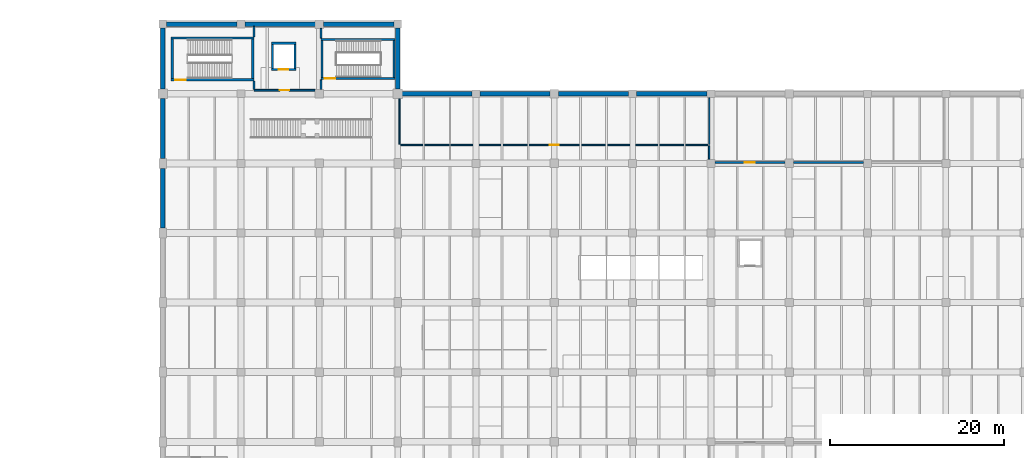
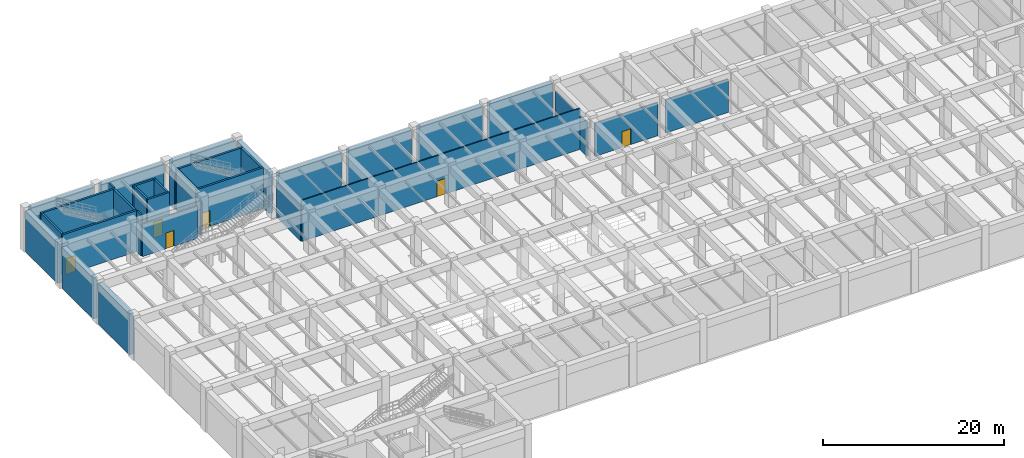
# One storey, part 10 of 20: 34 walls, 6 doors, 6 openings.
"""IFC4 building model written with IfcOpenShell, lengths in metres."""

from ifc_helpers import new_model, si_unit, derived_unit, direction, frame, frame_2d, origin, place, context, subcontext, project, spatial, rectangle, extrude, material, layer, layer_set, type_object, element, fill, save


model = new_model("IFC4")

# Units and contexts
model_context = context("Model", 3, precision=1e-05, world=origin(), true_north=direction((0.0, 1.0)))
body_context = subcontext(model_context, "Body", "Model", "MODEL_VIEW")
ifc_project = project(units=[si_unit("LENGTHUNIT", "METRE"), si_unit("AREAUNIT", "SQUARE_METRE"), si_unit("VOLUMEUNIT", "CUBIC_METRE"), si_unit("PLANEANGLEUNIT", "RADIAN"), si_unit("MASSUNIT", "GRAM", prefix="KILO"), derived_unit("THERMALTRANSMITTANCEUNIT", [(si_unit("MASSUNIT", "GRAM", prefix="KILO"), 1), (si_unit("TIMEUNIT", "SECOND"), -3), (si_unit("THERMODYNAMICTEMPERATUREUNIT", "KELVIN"), -1)])], contexts=[model_context])

# Site, building, storey
site_placement = place(None, origin())
site = spatial("IfcSite", under=ifc_project, at=site_placement, CompositionType="ELEMENT")
building_placement = place(site_placement, origin())
building = spatial("IfcBuilding", under=site, at=building_placement, Name="Zhenchuan Archway Interchange", CompositionType="ELEMENT")
storey_placement = place(building_placement, frame((0.0, 0.0, -6.0)))
storey = spatial("IfcBuildingStorey", under=building, at=storey_placement, Name="B1", CompositionType="ELEMENT", Elevation=-6.0)

# Walls
ifc_material_1 = material(Name="Concrete C40", Category="concrete")
ifc_layer_1 = layer(ifc_material_1, 0.5)
ifc_layer_set_1 = layer_set([ifc_layer_1], Name="Concrete C40")
wall_type_1 = type_object("IfcWallType", Name="EW_DIAPH_500", PredefinedType="STANDARD", material=ifc_layer_set_1)
wall_1_placement = place(storey_placement, frame((36.0, 64.572998046875, 0.0), z_axis=(0.0, 0.0, 1.0), x_axis=(0.0, 1.0, 0.0)))
element("IfcWall", 1, at=wall_1_placement, inside=storey, type_object=wall_type_1, Name="Basement diaphragm wall B1-013", PredefinedType="STANDARD", context=body_context, shape_type="SweptSolid", body=[
    extrude(rectangle(XDim=6.85400390625, YDim=0.5, at=frame_2d((3.427001953125, 0.0))), origin(), (0.0, 0.0, 1.0), 5.56005859375),
])
wall_2_placement = place(storey_placement, frame((36.0, 72.572998046875, 0.0), z_axis=(0.0, 0.0, 1.0), x_axis=(0.0, 1.0, 0.0)))
element("IfcWall", 2, at=wall_2_placement, inside=storey, type_object=wall_type_1, Name="Basement diaphragm wall B1-014", PredefinedType="STANDARD", context=body_context, shape_type="SweptSolid", body=[
    extrude(rectangle(XDim=6.904052734375, YDim=0.5, at=frame_2d((3.4521484375, 0.0))), origin(), (0.0, 0.0, 1.0), 5.56005859375),
])
wall_3_placement = place(storey_placement, frame((36.0, 80.52294921875, 0.0), z_axis=(0.0, 0.0, 1.0), x_axis=(0.0, 1.0, 0.0)))
element("IfcWall", 3, at=wall_3_placement, inside=storey, type_object=wall_type_1, Name="Basement diaphragm wall B1-015", PredefinedType="STANDARD", context=body_context, shape_type="SweptSolid", body=[
    extrude(rectangle(XDim=7.029052734375, YDim=0.5, at=frame_2d((3.5146484375, 0.0))), origin(), (0.0, 0.0, 1.0), 5.56005859375),
])
wall_4_placement = place(storey_placement, frame((36.447998046875, 88.0, 0.0), z_axis=(0.0, 0.0, 1.0), x_axis=(1.0, 0.0, 0.0)))
element("IfcWall", 4, at=wall_4_placement, inside=storey, type_object=wall_type_1, Name="Basement diaphragm wall B1-016", PredefinedType="STANDARD", context=body_context, shape_type="SweptSolid", body=[
    extrude(rectangle(XDim=8.10400390625, YDim=0.5, at=frame_2d((4.052001953125, 0.0))), origin(), (0.0, 0.0, 1.0), 5.56005859375),
])
for number, where, z_axis, x_axis, name in (
    (5, (45.447998046875, 88.0, 0.0), (0.0, 0.0, 1.0), (1.0, 0.0, 0.0), "Basement diaphragm wall B1-017"),
    (6, (54.472900390625, 88.0, 0.0), (0.0, 0.0, 1.0), (1.0, 0.0, 0.0), "Basement diaphragm wall B1-018"),
):
    element("IfcWall", number, at=place(storey_placement, frame(where, z_axis=z_axis, x_axis=x_axis)), inside=storey, type_object=wall_type_1, Name=name, PredefinedType="STANDARD", context=body_context, shape_type="SweptSolid", body=[
        extrude(rectangle(XDim=8.0791015625, YDim=0.5, at=frame_2d((4.03955078125, 0.0))), origin(), (0.0, 0.0, 1.0), 5.56005859375),
    ])
wall_5_placement = place(storey_placement, frame((63.0, 87.552001953125, 0.0), z_axis=(0.0, 0.0, 1.0), x_axis=(0.0, -1.0, 0.0)))
element("IfcWall", 7, at=wall_5_placement, inside=storey, type_object=wall_type_1, Name="Basement diaphragm wall B1-019", PredefinedType="STANDARD", context=body_context, shape_type="SweptSolid", body=[
    extrude(rectangle(XDim=7.029052734375, YDim=0.5, at=frame_2d((3.5146484375, 0.0))), origin(), (0.0, 0.0, 1.0), 5.56005859375),
])
wall_6_placement = place(storey_placement, frame((63.52294921875, 80.0, 0.0), z_axis=(0.0, 0.0, 1.0), x_axis=(1.0, 0.0, 0.0)))
element("IfcWall", 8, at=wall_6_placement, inside=storey, type_object=wall_type_1, Name="Basement diaphragm wall B1-020", PredefinedType="STANDARD", context=body_context, shape_type="SweptSolid", body=[
    extrude(rectangle(XDim=8.029052734375, YDim=0.5, at=frame_2d((4.0146484375, 0.0))), origin(), (0.0, 0.0, 1.0), 5.56005859375),
])
for number, where, z_axis, x_axis, name in (
    (9, (72.447998046875, 80.0, 0.0), (0.0, 0.0, 1.0), (1.0, 0.0, 0.0), "Basement diaphragm wall B1-021"),
    (10, (81.472900390625, 80.0, 0.0), (0.0, 0.0, 1.0), (1.0, 0.0, 0.0), "Basement diaphragm wall B1-022"),
):
    element("IfcWall", number, at=place(storey_placement, frame(where, z_axis=z_axis, x_axis=x_axis)), inside=storey, type_object=wall_type_1, Name=name, PredefinedType="STANDARD", context=body_context, shape_type="SweptSolid", body=[
        extrude(rectangle(XDim=8.0791015625, YDim=0.5, at=frame_2d((4.03955078125, 0.0))), origin(), (0.0, 0.0, 1.0), 5.56005859375),
    ])
wall_7_placement = place(storey_placement, frame((90.447998046875, 80.0, 0.0), z_axis=(0.0, 0.0, 1.0), x_axis=(1.0, 0.0, 0.0)))
element("IfcWall", 11, at=wall_7_placement, inside=storey, type_object=wall_type_1, Name="Basement diaphragm wall B1-023", PredefinedType="STANDARD", context=body_context, shape_type="SweptSolid", body=[
    extrude(rectangle(XDim=8.10400390625, YDim=0.5, at=frame_2d((4.052001953125, 0.0))), origin(), (0.0, 0.0, 1.0), 5.56005859375),
])

# Wall, opening, door
ifc_material_2 = material(Name="Autoclaved Aerated Concrete Block", Category="concrete")
ifc_layer_2 = layer(ifc_material_2, 0.199951171875)
ifc_layer_set_2 = layer_set([ifc_layer_2], Name="Autoclaved Aerated Concrete Block")
wall_type_2 = type_object("IfcWallType", Name="WL_FIRE_200", PredefinedType="STANDARD", material=ifc_layer_set_2)
wall_8_placement = place(storey_placement, frame((46.489990234375, 80.39990234375, 0.0), z_axis=(0.0, 0.0, 1.0), x_axis=(1.0, 0.0, 0.0)))
wall_8 = element("IfcWall", 12, at=wall_8_placement, inside=storey, type_object=wall_type_2, Name="Station Cleaning and Barriers Store S partition (B1)", PredefinedType="STANDARD", context=body_context, shape_type="SweptSolid", body=[
    extrude(rectangle(XDim=7.010009765625, YDim=0.199951171875, at=frame_2d((3.5048828125, 0.0))), origin(), (0.0, 0.0, 1.0), 4.3798828125),
])
opening_1_placement = place(wall_8_placement, frame((2.97998046875, 0.0, 0.0)))
opening_1 = element("IfcOpeningElement", 13, at=opening_1_placement, cuts=wall_8, Name="Opening FD-03", PredefinedType="OPENING", context=body_context, shape_type="SweptSolid", body=[
    extrude(rectangle(XDim=1.050048828125, YDim=2.14990234375, at=frame_2d((0.52490234375, 1.074951171875))), frame((0.0, 0.11181640625, 0.0), z_axis=(0.0, -1.0, 0.0), x_axis=(1.0, 0.0, 0.0)), (0.0, 0.0, 1.0), 0.223876953125),
])
ifc_material_3 = material(Name="Painted Galvanised Steel", Category="steel")
door_type_1 = type_object("IfcDoorType", Name="DR_PLANT_FD60_S", OperationType="NOTDEFINED", PredefinedType="DOOR", material=ifc_material_3)
door_1_placement = place(opening_1_placement, origin())
door_1 = element("IfcDoor", 14, at=door_1_placement, inside=storey, type_object=door_type_1, Name="Station Cleaning and Barriers Store door (B1)", OperationType="SINGLE_SWING_LEFT", OverallHeight=2.14990234375, OverallWidth=1.050048828125, PredefinedType="DOOR", context=body_context, shape_type="SweptSolid", body=[
    extrude(rectangle(XDim=1.050048828125, YDim=2.14990234375, at=frame_2d((0.52490234375, 1.074951171875))), frame((0.0, 0.02490234375, 0.0), z_axis=(0.0, -1.0, 0.0), x_axis=(1.0, 0.0, 0.0)), (0.0, 0.0, 1.0), 0.050048828125),
])
fill(opening_1, door_1)

# Walls
wall_9_placement = place(storey_placement, frame((46.489990234375, 80.510009765625, 0.0), z_axis=(0.0, 0.0, 1.0), x_axis=(0.0, 1.0, 0.0)))
element("IfcWall", 15, at=wall_9_placement, inside=storey, type_object=wall_type_2, Name="Station Cleaning and Barriers Store W partition (B1)", PredefinedType="STANDARD", context=body_context, shape_type="SweptSolid", body=[
    extrude(rectangle(XDim=0.945068359375, YDim=0.199951171875, at=frame_2d((0.47265625, 0.0))), origin(), (0.0, 0.0, 1.0), 5.550048828125),
])
wall_10_placement = place(storey_placement, frame((46.489990234375, 86.544921875, 0.0), z_axis=(0.0, 0.0, 1.0), x_axis=(0.0, 1.0, 0.0)))
element("IfcWall", 16, at=wall_10_placement, inside=storey, type_object=wall_type_2, Name="Station Cleaning and Barriers Store W partition (B1)", PredefinedType="STANDARD", context=body_context, shape_type="SweptSolid", body=[
    extrude(rectangle(XDim=1.195068359375, YDim=0.199951171875, at=frame_2d((0.59765625, 0.0))), origin(), (0.0, 0.0, 1.0), 5.550048828125),
])
for number, where, z_axis, x_axis, name in (
    (17, (54.179931640625, 80.5, 0.0), (0.0, 0.0, 1.0), (0.0, 1.0, 0.0), "Station Cleaning and Barriers Store E partition (B1)"),
    (18, (54.179931640625, 86.39501953125, 0.0), (0.0, 0.0, 1.0), (0.0, 1.0, 0.0), "Station Cleaning and Barriers Store E partition (B1)"),
):
    element("IfcWall", number, at=place(storey_placement, frame(where, z_axis=z_axis, x_axis=x_axis)), inside=storey, type_object=wall_type_2, Name=name, PredefinedType="STANDARD", context=body_context, shape_type="SweptSolid", body=[
        extrude(rectangle(XDim=1.10498046875, YDim=0.199951171875, at=frame_2d((0.552490234375, 0.0))), origin(), (0.0, 0.0, 1.0), 4.580078125),
    ])

# Wall, opening, door
ifc_layer_3 = layer(ifc_material_1, 0.239990234375)
ifc_layer_set_3 = layer_set([ifc_layer_3], Name="Concrete C40")
wall_type_3 = type_object("IfcWallType", Name="WL_LIFT_240", PredefinedType="SHEAR", material=ifc_layer_set_3)
wall_11_placement = place(storey_placement, frame((48.47998046875, 82.800048828125, 0.0), z_axis=(0.0, 0.0, 1.0), x_axis=(1.0, 0.0, 0.0)))
wall_11 = element("IfcWall", 19, at=wall_11_placement, inside=storey, type_object=wall_type_3, Name="Lift LF-02 south shaft wall (B1)", PredefinedType="SHEAR", context=body_context, shape_type="SweptSolid", body=[
    extrude(rectangle(XDim=2.840087890625, YDim=0.239990234375, at=frame_2d((1.419921875, 0.0))), origin(), (0.0, 0.0, 1.0), 5.550048828125),
])
opening_2_placement = place(wall_11_placement, frame((0.8701171875, 0.0, 0.0)))
opening_2 = element("IfcOpeningElement", 20, at=opening_2_placement, cuts=wall_11, Name="Opening LD-01", PredefinedType="OPENING", context=body_context, shape_type="SweptSolid", body=[
    extrude(rectangle(XDim=1.10009765625, YDim=2.199951171875, at=frame_2d((0.550048828125, 1.10009765625))), frame((0.0, 0.1318359375, 0.0), z_axis=(0.0, -1.0, 0.0), x_axis=(1.0, 0.0, 0.0)), (0.0, 0.0, 1.0), 0.263916015625),
])
ifc_material_4 = material(Name="Stainless Steel 304", Category="steel")
door_type_2 = type_object("IfcDoorType", Name="DR_LIFT_LD110", OperationType="DOUBLE_DOOR_SLIDING", PredefinedType="DOOR", material=ifc_material_4)
door_2_placement = place(opening_2_placement, origin())
door_2 = element("IfcDoor", 21, at=door_2_placement, inside=storey, type_object=door_type_2, Name="Lift LF-02 landing door (B1)", OperationType="DOUBLE_DOOR_SLIDING", OverallHeight=2.199951171875, OverallWidth=1.10009765625, PredefinedType="DOOR", context=body_context, shape_type="SweptSolid", body=[
    extrude(rectangle(XDim=1.10009765625, YDim=2.199951171875, at=frame_2d((0.550048828125, 1.10009765625))), frame((0.0, 0.02490234375, 0.0), z_axis=(0.0, -1.0, 0.0), x_axis=(1.0, 0.0, 0.0)), (0.0, 0.0, 1.0), 0.050048828125),
])
fill(opening_2, door_2)

# Walls
wall_12_placement = place(storey_placement, frame((51.320068359375, 85.800048828125, 0.0), z_axis=(0.0, 0.0, 1.0), x_axis=(-1.0, 0.0, 0.0)))
element("IfcWall", 22, at=wall_12_placement, inside=storey, type_object=wall_type_3, Name="Lift LF-02 north shaft wall (B1)", PredefinedType="SHEAR", context=body_context, shape_type="SweptSolid", body=[
    extrude(rectangle(XDim=2.840087890625, YDim=0.239990234375, at=frame_2d((1.419921875, 0.0))), origin(), (0.0, 0.0, 1.0), 5.550048828125),
])
for number, where, z_axis, x_axis, name in (
    (23, (48.60009765625, 85.679931640625, 0.0), (0.0, 0.0, 1.0), (0.0, -1.0, 0.0), "Lift LF-02 west shaft wall (B1)"),
    (24, (51.199951171875, 82.919921875, 0.0), (0.0, 0.0, 1.0), (0.0, 1.0, 0.0), "Lift LF-02 east shaft wall (B1)"),
):
    element("IfcWall", number, at=place(storey_placement, frame(where, z_axis=z_axis, x_axis=x_axis)), inside=storey, type_object=wall_type_3, Name=name, PredefinedType="SHEAR", context=body_context, shape_type="SweptSolid", body=[
        extrude(rectangle(XDim=2.760009765625, YDim=0.239990234375, at=frame_2d((1.3798828125, 0.0))), origin(), (0.0, 0.0, 1.0), 5.550048828125),
    ])

# Wall, opening, door
ifc_material_5 = material(Name="Gypsum Plasterboard", Category="gypsum")
ifc_layer_4 = layer(ifc_material_5, 0.14990234375)
ifc_layer_set_4 = layer_set([ifc_layer_4], Name="Gypsum Plasterboard")
wall_type_4 = type_object("IfcWallType", Name="WL_PART_150", PredefinedType="STANDARD", material=ifc_layer_set_4)
wall_13_placement = place(storey_placement, frame((63.199951171875, 74.10009765625, 0.0), z_axis=(0.0, 0.0, 1.0), x_axis=(1.0, 0.0, 0.0)))
wall_13 = element("IfcWall", 25, at=wall_13_placement, inside=storey, type_object=wall_type_4, Name="Transit Card and Travel Kiosk North S partition (B1)", PredefinedType="STANDARD", context=body_context, shape_type="SweptSolid", body=[
    extrude(rectangle(XDim=35.60009765625, YDim=0.14990234375, at=frame_2d((17.800048828125, 0.0))), origin(), (0.0, 0.0, 1.0), 5.550048828125),
])
opening_3_placement = place(wall_13_placement, frame((17.300048828125, 0.0, 0.0)))
opening_3 = element("IfcOpeningElement", 26, at=opening_3_placement, cuts=wall_13, Name="Opening ID-02", PredefinedType="OPENING", context=body_context, shape_type="SweptSolid", body=[
    extrude(rectangle(XDim=1.0, YDim=2.10009765625, at=frame_2d((0.5, 1.050048828125))), frame((0.0, 0.0869140625, 0.0), z_axis=(0.0, -1.0, 0.0), x_axis=(1.0, 0.0, 0.0)), (0.0, 0.0, 1.0), 0.173828125),
])
ifc_material_6 = material(Name="Hardwood Timber", Category="wood")
door_type_3 = type_object("IfcDoorType", Name="DR_OPS_100", OperationType="NOTDEFINED", PredefinedType="DOOR", material=ifc_material_6)
door_3_placement = place(opening_3_placement, origin())
door_3 = element("IfcDoor", 27, at=door_3_placement, inside=storey, type_object=door_type_3, Name="Transit Card and Travel Kiosk North door (B1)", OperationType="SINGLE_SWING_RIGHT", OverallHeight=2.10009765625, OverallWidth=1.0, PredefinedType="DOOR", context=body_context, shape_type="SweptSolid", body=[
    extrude(rectangle(XDim=1.0, YDim=2.10009765625, at=frame_2d((0.5, 1.050048828125))), frame((0.0, 0.02490234375, 0.0), z_axis=(0.0, -1.0, 0.0), x_axis=(1.0, 0.0, 0.0)), (0.0, 0.0, 1.0), 0.050048828125),
])
fill(opening_3, door_3)

# Walls
wall_14_placement = place(storey_placement, frame((63.199951171875, 74.18505859375, 0.0), z_axis=(0.0, 0.0, 1.0), x_axis=(0.0, 1.0, 0.0)))
element("IfcWall", 28, at=wall_14_placement, inside=storey, type_object=wall_type_4, Name="Transit Card and Travel Kiosk North W partition (B1)", PredefinedType="STANDARD", context=body_context, shape_type="SweptSolid", body=[
    extrude(rectangle(XDim=5.264892578125, YDim=0.14990234375, at=frame_2d((2.63232421875, 0.0))), origin(), (0.0, 0.0, 1.0), 4.580078125),
])
wall_15_placement = place(storey_placement, frame((98.800048828125, 74.18505859375, 0.0), z_axis=(0.0, 0.0, 1.0), x_axis=(0.0, 1.0, 0.0)))
element("IfcWall", 29, at=wall_15_placement, inside=storey, type_object=wall_type_4, Name="Transit Card and Travel Kiosk North E partition (B1)", PredefinedType="STANDARD", context=body_context, shape_type="SweptSolid", body=[
    extrude(rectangle(XDim=5.33984375, YDim=0.14990234375, at=frame_2d((2.669921875, 0.0))), origin(), (0.0, 0.0, 1.0), 4.580078125),
])

# Wall, opening, door
ifc_material_7 = material(Name="Concrete Block Masonry", Category="masonry")
ifc_layer_5 = layer(ifc_material_7, 0.179931640625)
ifc_layer_set_5 = layer_set([ifc_layer_5], Name="Concrete Block Masonry")
wall_type_5 = type_object("IfcWallType", Name="WL_PART_180", PredefinedType="STANDARD", material=ifc_layer_set_5)
wall_16_placement = place(storey_placement, frame((99.47509765625, 72.10009765625, 0.0), z_axis=(0.0, 0.0, 1.0), x_axis=(1.0, 0.0, 0.0)))
wall_16 = element("IfcWall", 30, at=wall_16_placement, inside=storey, type_object=wall_type_5, Name="Metro Fiber and Radio Communications Room S partition (B1)", PredefinedType="STANDARD", context=body_context, shape_type="SweptSolid", body=[
    extrude(rectangle(XDim=8.02490234375, YDim=0.179931640625, at=frame_2d((4.012451171875, 0.0))), origin(), (0.0, 0.0, 1.0), 4.47998046875),
])
opening_4_placement = place(wall_16_placement, frame((3.4375, 0.0, 0.0)))
opening_4 = element("IfcOpeningElement", 31, at=opening_4_placement, cuts=wall_16, Name="Opening ID-06", PredefinedType="OPENING", context=body_context, shape_type="SweptSolid", body=[
    extrude(rectangle(XDim=1.14990234375, YDim=2.14990234375, at=frame_2d((0.574951171875, 1.074951171875))), frame((0.0, 0.10205078125, 0.0), z_axis=(0.0, -1.0, 0.0), x_axis=(1.0, 0.0, 0.0)), (0.0, 0.0, 1.0), 0.203857421875),
])
door_type_4 = type_object("IfcDoorType", Name="DR_CTRL_115", OperationType="NOTDEFINED", PredefinedType="DOOR", material=ifc_material_6)
door_4_placement = place(opening_4_placement, origin())
door_4 = element("IfcDoor", 32, at=door_4_placement, inside=storey, type_object=door_type_4, Name="Metro Fiber and Radio Communications Room door (B1)", OperationType="SINGLE_SWING_LEFT", OverallHeight=2.14990234375, OverallWidth=1.14990234375, PredefinedType="DOOR", context=body_context, shape_type="SweptSolid", body=[
    extrude(rectangle(XDim=1.14990234375, YDim=2.14990234375, at=frame_2d((0.574951171875, 1.074951171875))), frame((0.0, 0.02490234375, 0.0), z_axis=(0.0, -1.0, 0.0), x_axis=(1.0, 0.0, 0.0)), (0.0, 0.0, 1.0), 0.050048828125),
])
fill(opening_4, door_4)

# Walls
wall_17_placement = place(storey_placement, frame((108.5, 72.10009765625, 0.0), z_axis=(0.0, 0.0, 1.0), x_axis=(1.0, 0.0, 0.0)))
element("IfcWall", 33, at=wall_17_placement, inside=storey, type_object=wall_type_5, Name="Metro Fiber and Radio Communications Room S partition (B1)", PredefinedType="STANDARD", context=body_context, shape_type="SweptSolid", body=[
    extrude(rectangle(XDim=8.02490234375, YDim=0.179931640625, at=frame_2d((4.012451171875, 0.0))), origin(), (0.0, 0.0, 1.0), 4.47998046875),
])
wall_18_placement = place(storey_placement, frame((98.800048828125, 72.47509765625, 0.0), z_axis=(0.0, 0.0, 1.0), x_axis=(0.0, 1.0, 0.0)))
element("IfcWall", 34, at=wall_18_placement, inside=storey, type_object=wall_type_5, Name="Metro Fiber and Radio Communications Room W partition (B1)", PredefinedType="STANDARD", context=body_context, shape_type="SweptSolid", body=[
    extrude(rectangle(XDim=1.539794921875, YDim=0.179931640625, at=frame_2d((0.77001953125, 0.0))), origin(), (0.0, 0.0, 1.0), 4.580078125),
])

# Wall, opening, door
ifc_layer_6 = layer(ifc_material_1, 0.25)
ifc_layer_set_6 = layer_set([ifc_layer_6], Name="Concrete C40")
wall_type_6 = type_object("IfcWallType", Name="WL_STAIR_250", PredefinedType="SHEAR", material=ifc_layer_set_6)
wall_19_placement = place(storey_placement, frame((36.97509765625, 81.60009765625, 0.0), z_axis=(0.0, 0.0, 1.0), x_axis=(1.0, 0.0, 0.0)))
wall_19 = element("IfcWall", 35, at=wall_19_placement, inside=storey, type_object=wall_type_6, Name="Stair ST-M2 south wall (B1)", PredefinedType="SHEAR", context=body_context, shape_type="SweptSolid", body=[
    extrude(rectangle(XDim=9.5, YDim=0.25, at=frame_2d((4.75, 0.0))), origin(), (0.0, 0.0, 1.0), 5.550048828125),
])
opening_5_placement = place(wall_19_placement, frame((0.445068359375, 0.0, 0.0)))
opening_5 = element("IfcOpeningElement", 36, at=opening_5_placement, cuts=wall_19, Name="Opening FD-01", PredefinedType="OPENING", context=body_context, shape_type="SweptSolid", body=[
    extrude(rectangle(XDim=1.25, YDim=2.14990234375, at=frame_2d((0.625, 1.074951171875))), frame((0.0, 0.136962890625, 0.0), z_axis=(0.0, -1.0, 0.0), x_axis=(1.0, 0.0, 0.0)), (0.0, 0.0, 1.0), 0.27392578125),
])
door_type_5 = type_object("IfcDoorType", Name="DR_STAIR_FD90", OperationType="NOTDEFINED", PredefinedType="DOOR", material=ifc_material_3)
door_5_placement = place(opening_5_placement, origin())
door_5 = element("IfcDoor", 37, at=door_5_placement, inside=storey, type_object=door_type_5, Name="Stair ST-M2 fire door (B1)", OperationType="SINGLE_SWING_LEFT", OverallHeight=2.14990234375, OverallWidth=1.25, PredefinedType="DOOR", context=body_context, shape_type="SweptSolid", body=[
    extrude(rectangle(XDim=1.25, YDim=2.14990234375, at=frame_2d((0.625, 1.074951171875))), frame((0.0, 0.02490234375, 0.0), z_axis=(0.0, -1.0, 0.0), x_axis=(1.0, 0.0, 0.0)), (0.0, 0.0, 1.0), 0.050048828125),
])
fill(opening_5, door_5)

# Walls
wall_20_placement = place(storey_placement, frame((46.47509765625, 86.39990234375, 0.0), z_axis=(0.0, 0.0, 1.0), x_axis=(-1.0, 0.0, 0.0)))
element("IfcWall", 38, at=wall_20_placement, inside=storey, type_object=wall_type_6, Name="Stair ST-M2 north wall (B1)", PredefinedType="SHEAR", context=body_context, shape_type="SweptSolid", body=[
    extrude(rectangle(XDim=9.5, YDim=0.25, at=frame_2d((4.75, 0.0))), origin(), (0.0, 0.0, 1.0), 5.550048828125),
])
for number, where, z_axis, x_axis, name in (
    (39, (37.10009765625, 86.27490234375, 0.0), (0.0, 0.0, 1.0), (0.0, -1.0, 0.0), "Stair ST-M2 west wall (B1)"),
    (40, (46.35009765625, 81.72509765625, 0.0), (0.0, 0.0, 1.0), (0.0, 1.0, 0.0), "Stair ST-M2 east wall (B1)"),
):
    element("IfcWall", number, at=place(storey_placement, frame(where, z_axis=z_axis, x_axis=x_axis)), inside=storey, type_object=wall_type_6, Name=name, PredefinedType="SHEAR", context=body_context, shape_type="SweptSolid", body=[
        extrude(rectangle(XDim=4.5498046875, YDim=0.25, at=frame_2d((2.27490234375, 0.0))), origin(), (0.0, 0.0, 1.0), 5.550048828125),
    ])

# Wall, opening, door
wall_21_placement = place(storey_placement, frame((54.195068359375, 81.75, 0.0), z_axis=(0.0, 0.0, 1.0), x_axis=(1.0, 0.0, 0.0)))
wall_21 = element("IfcWall", 41, at=wall_21_placement, inside=storey, type_object=wall_type_6, Name="Stair ST-M4 south wall (B1)", PredefinedType="SHEAR", context=body_context, shape_type="SweptSolid", body=[
    extrude(rectangle(XDim=8.489990234375, YDim=0.25, at=frame_2d((4.2451171875, 0.0))), origin(), (0.0, 0.0, 1.0), 5.550048828125),
])
opening_6_placement = place(wall_21_placement, frame((0.405029296875, 0.0, 0.0)))
opening_6 = element("IfcOpeningElement", 42, at=opening_6_placement, cuts=wall_21, Name="Opening FD-01", PredefinedType="OPENING", context=body_context, shape_type="SweptSolid", body=[
    extrude(rectangle(XDim=1.25, YDim=2.14990234375, at=frame_2d((0.625, 1.074951171875))), frame((0.0, 0.136962890625, 0.0), z_axis=(0.0, -1.0, 0.0), x_axis=(1.0, 0.0, 0.0)), (0.0, 0.0, 1.0), 0.27392578125),
])
door_6_placement = place(opening_6_placement, origin())
door_6 = element("IfcDoor", 43, at=door_6_placement, inside=storey, type_object=door_type_5, Name="Stair ST-M4 fire door (B1)", OperationType="SINGLE_SWING_LEFT", OverallHeight=2.14990234375, OverallWidth=1.25, PredefinedType="DOOR", context=body_context, shape_type="SweptSolid", body=[
    extrude(rectangle(XDim=1.25, YDim=2.14990234375, at=frame_2d((0.625, 1.074951171875))), frame((0.0, 0.02490234375, 0.0), z_axis=(0.0, -1.0, 0.0), x_axis=(1.0, 0.0, 0.0)), (0.0, 0.0, 1.0), 0.050048828125),
])
fill(opening_6, door_6)

# Walls
wall_22_placement = place(storey_placement, frame((62.68505859375, 86.25, 0.0), z_axis=(0.0, 0.0, 1.0), x_axis=(-1.0, 0.0, 0.0)))
element("IfcWall", 44, at=wall_22_placement, inside=storey, type_object=wall_type_6, Name="Stair ST-M4 north wall (B1)", PredefinedType="SHEAR", context=body_context, shape_type="SweptSolid", body=[
    extrude(rectangle(XDim=8.489990234375, YDim=0.25, at=frame_2d((4.2451171875, 0.0))), origin(), (0.0, 0.0, 1.0), 5.550048828125),
])
for number, where, z_axis, x_axis, name in (
    (45, (54.320068359375, 86.125, 0.0), (0.0, 0.0, 1.0), (0.0, -1.0, 0.0), "Stair ST-M4 west wall (B1)"),
    (46, (62.56005859375, 81.875, 0.0), (0.0, 0.0, 1.0), (0.0, 1.0, 0.0), "Stair ST-M4 east wall (B1)"),
):
    element("IfcWall", number, at=place(storey_placement, frame(where, z_axis=z_axis, x_axis=x_axis)), inside=storey, type_object=wall_type_6, Name=name, PredefinedType="SHEAR", context=body_context, shape_type="SweptSolid", body=[
        extrude(rectangle(XDim=4.25, YDim=0.25, at=frame_2d((2.125, 0.0))), origin(), (0.0, 0.0, 1.0), 5.550048828125),
    ])

save(model, "model.ifc")
